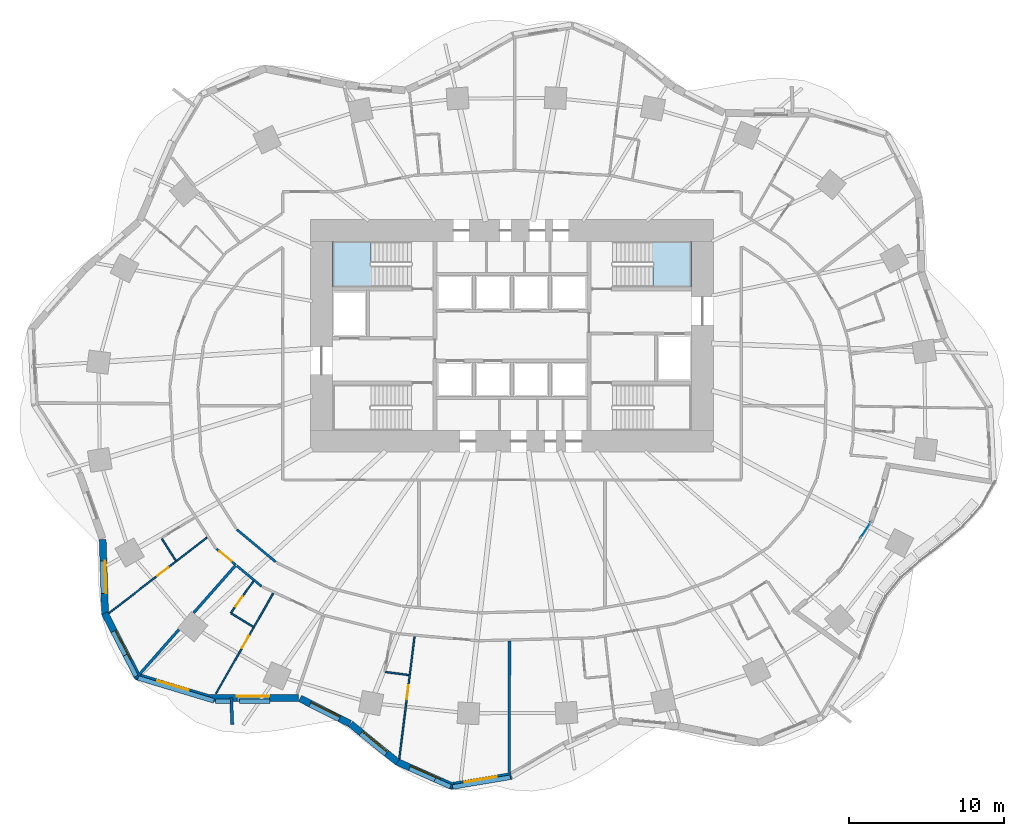
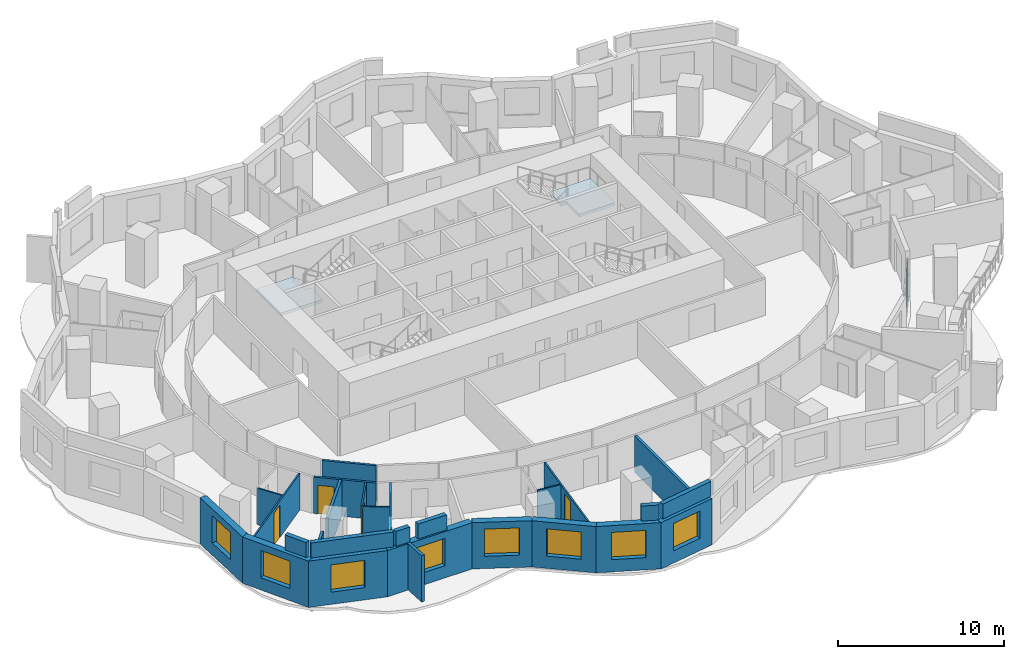
# One storey, part 4 of 14: 28 walls, 8 windows, 5 doors, 2 slabs, 1 plate, 13 openings, 3 elements without a shape of their own.
"""IFC4 building model written with IfcOpenShell, lengths in metres."""

from ifc_helpers import new_model, si_unit, direction, frame, frame_2d, origin, origin_2d, place, context, subcontext, project, spatial, polyline, rectangle, outline, extrude, material, layer, layer_set, type_object, element, fill, aggregate, save


model = new_model("IFC4")

# Units and contexts
model_context = context("Model", 3, precision=1e-05, world=origin(), true_north=direction((0.0, 1.0)))
body_context = subcontext(model_context, "Body", "Model", "MODEL_VIEW")
ifc_project = project(units=[si_unit("LENGTHUNIT", "METRE"), si_unit("AREAUNIT", "SQUARE_METRE"), si_unit("VOLUMEUNIT", "CUBIC_METRE"), si_unit("PLANEANGLEUNIT", "RADIAN"), si_unit("MASSUNIT", "GRAM", prefix="KILO")], contexts=[model_context])

# Site, building, storey
site_placement = place(None, origin())
site = spatial("IfcSite", under=ifc_project, at=site_placement, CompositionType="ELEMENT")
building_placement = place(site_placement, origin())
building = spatial("IfcBuilding", under=site, at=building_placement, Name="Rubra Terraces Tower", CompositionType="ELEMENT")
storey_placement = place(building_placement, frame((0.0, 0.0, 62.699951171875)))
storey = spatial("IfcBuildingStorey", under=building, at=storey_placement, Name="L13", CompositionType="ELEMENT", Elevation=62.699951171875)

# Stair, slab
ifc_material_1 = material(Name="Concrete C40", Category="concrete")
stair_type = type_object("IfcStairType", Name="Core stair 1400", PredefinedType="HALF_TURN_STAIR", material=ifc_material_1)
stair_1_placement = place(storey_placement, origin())
stair_1 = element("IfcStair", 1, at=stair_1_placement, inside=storey, type_object=stair_type, Name="L13 Exit stair S2", PredefinedType="HALF_TURN_STAIR")
ifc_layer_1 = layer(ifc_material_1, 0.199951171875)
ifc_layer_set_1 = layer_set([ifc_layer_1], Name="Concrete C40")
slab_type = type_object("IfcSlabType", Name="Core stair landing 200", PredefinedType="LANDING", material=ifc_layer_set_1)
slab_1_placement = place(storey_placement, frame((0.0, 0.0, 1.60009765625)))
slab_1 = element("IfcSlab", 2, at=slab_1_placement, type_object=slab_type, Name="S2 landing 1", PredefinedType="LANDING", context=body_context, shape_type="SweptSolid", body=[
    extrude(outline(polyline([(-8.719970703125, 9.050048828125), (-8.719970703125, 7.64990234375), (-9.1201171875, 7.64990234375), (-11.60009765625, 7.64990234375), (-11.60009765625, 10.60009765625), (-9.1201171875, 10.60009765625), (-9.10009765625, 10.60009765625), (-9.097900390625, 10.60009765625), (-9.097900390625, 9.199951171875), (-9.10009765625, 9.199951171875), (-9.10009765625, 9.050048828125), (-8.719970703125, 9.050048828125)])), origin(), (0.0, 0.0, 1.0), 0.199951171875),
])
aggregate(stair_1, [slab_1])

stair_2_placement = place(storey_placement, origin())
stair_2 = element("IfcStair", 3, at=stair_2_placement, inside=storey, type_object=stair_type, Name="L13 Exit stair S3", PredefinedType="HALF_TURN_STAIR")
slab_2_placement = place(storey_placement, frame((0.0, 0.0, 1.60009765625)))
slab_2 = element("IfcSlab", 4, at=slab_2_placement, type_object=slab_type, Name="S3 landing 1", PredefinedType="LANDING", context=body_context, shape_type="SweptSolid", body=[
    extrude(outline(polyline([(9.10009765625, 9.050048828125), (9.10009765625, 9.199951171875), (8.719970703125, 9.199951171875), (8.719970703125, 10.60009765625), (9.10009765625, 10.60009765625), (9.1201171875, 10.60009765625), (11.60009765625, 10.60009765625), (11.60009765625, 7.64990234375), (9.1201171875, 7.64990234375), (9.097900390625, 7.64990234375), (9.097900390625, 9.050048828125), (9.10009765625, 9.050048828125)])), origin(), (0.0, 0.0, 1.0), 0.199951171875),
])
aggregate(stair_2, [slab_2])

# Curtain wall, plate
ifc_material_2 = material(Name="Aluminium and glass", Category="aluminium")
curtain_wall_type = type_object("IfcCurtainWallType", Name="Curtain wall Terrace glazing", PredefinedType="NOTDEFINED", material=ifc_material_2)
curtain_wall_placement = place(storey_placement, origin())
curtain_wall = element("IfcCurtainWall", 5, at=curtain_wall_placement, inside=storey, type_object=curtain_wall_type, Name="Terrace glazing L13", PredefinedType="NOTDEFINED")
ifc_material_3 = material(Name="Clear glass, laminated", Category="glass")
ifc_layer_2 = layer(ifc_material_3, 0.028076171875)
ifc_layer_set_2 = layer_set([ifc_layer_2], Name="Clear glass, laminated")
plate_type = type_object("IfcPlateType", Name="Terrace glazing glass panel 28", PredefinedType="CURTAIN_PANEL", material=ifc_layer_set_2)
plate_placement = place(storey_placement, frame((22.813720703125, -8.03662109375, 0.10009765625), z_axis=(0.0, 0.0, 1.0), x_axis=(0.54622820243, 0.837636407321, 0.0)))
plate = element("IfcPlate", 6, at=plate_placement, type_object=plate_type, Name="CW3 panel 3.1", PredefinedType="CURTAIN_PANEL", context=body_context, shape_type="SweptSolid", body=[
    extrude(rectangle(XDim=1.20947265625, YDim=0.028076171875, at=origin_2d()), origin(), (0.0, 0.0, 1.0), 2.718017578125),
])
aggregate(curtain_wall, [plate])

# Walls
ifc_material_4 = material(Name="Twin plasterboard on staggered steel stud, acoustic mineral wool", Category="steel")
ifc_layer_3 = layer(ifc_material_4, 0.175048828125)
ifc_layer_set_3 = layer_set([ifc_layer_3], Name="Twin plasterboard on staggered steel stud, acoustic mineral wool")
wall_type_1 = type_object("IfcWallType", Name="ACOUSTIC PARTY WALL 175", PredefinedType="PARTITIONING", material=ifc_layer_set_3)
wall_1_placement = place(storey_placement, frame((-24.003173828125, -17.293212890625, 0.0), z_axis=(0.0, 0.0, 1.0), x_axis=(0.661561928072, 0.749890535562, 0.0)))
element("IfcWall", 7, at=wall_1_placement, inside=storey, type_object=wall_type_1, Name="PARTITION", PredefinedType="PARTITIONING", context=body_context, shape_type="SweptSolid", body=[
    extrude(rectangle(XDim=3.78662109375, YDim=0.175048828125, at=frame_2d((1.893310546875, 0.0))), origin(), (0.0, 0.0, 1.0), 2.679931640625),
])
wall_2_placement = place(storey_placement, frame((-20.545166015625, -13.373291015625, 0.0), z_axis=(0.0, 0.0, 1.0), x_axis=(0.66156772741, 0.74988541928, 0.0)))
element("IfcWall", 8, at=wall_2_placement, inside=storey, type_object=wall_type_1, Name="PARTITION", PredefinedType="PARTITIONING", context=body_context, shape_type="SweptSolid", body=[
    extrude(rectangle(XDim=4.044189453125, YDim=0.175048828125, at=frame_2d((2.02197265625, 0.0))), origin(), (0.0, 0.0, 1.0), 2.679931640625),
])
wall_3_placement = place(storey_placement, frame((-0.17919921875, -23.686767578125, 0.0), z_axis=(0.0, 0.0, 1.0), x_axis=(0.001753677156, 0.999998462307, 0.0)))
element("IfcWall", 9, at=wall_3_placement, inside=storey, type_object=wall_type_1, Name="PARTITION", PredefinedType="PARTITIONING", context=body_context, shape_type="SweptSolid", body=[
    extrude(rectangle(XDim=8.4921875, YDim=0.175048828125, at=frame_2d((4.24609375, 0.0))), origin(), (0.0, 0.0, 1.0), 2.679931640625),
])

# Wall, opening, window
ifc_material_5 = material(Name="Brick masonry red-brown", Category="masonry")
ifc_layer_4 = layer(ifc_material_5, 0.449951171875)
ifc_layer_set_4 = layer_set([ifc_layer_4], Name="Brick masonry red-brown")
wall_type_2 = type_object("IfcWallType", Name="Brick facade wall 450", PredefinedType="SOLIDWALL", material=ifc_layer_set_4)
wall_4_placement = place(storey_placement, frame((-26.416015625, -8.6376953125, 0.0), z_axis=(0.0, 0.0, 1.0), x_axis=(0.03254979302, -0.999470115098, 0.0)))
wall_4 = element("IfcWall", 10, at=wall_4_placement, inside=storey, type_object=wall_type_2, Name="Facade wall L13 bay 23", PredefinedType="SOLIDWALL", context=body_context, shape_type="SweptSolid", body=[
    extrude(rectangle(XDim=4.845458984375, YDim=0.449951171875, at=frame_2d((2.4228515625, 0.0))), origin(), (0.0, 0.0, 1.0), 3.400146484375),
])
opening_1_placement = place(wall_4_placement, frame((1.37255859375, 0.0, 0.89990234375)))
opening_1 = element("IfcOpeningElement", 11, at=opening_1_placement, cuts=wall_4, Name="Opening W1", PredefinedType="OPENING", context=body_context, shape_type="SweptSolid", body=[
    extrude(rectangle(XDim=2.10009765625, YDim=2.0, at=frame_2d((1.050048828125, 1.0))), frame((0.0, 0.23486328125, 0.0), z_axis=(0.0, -1.0, 0.0), x_axis=(1.0, 0.0, 0.0)), (0.0, 0.0, 1.0), 0.469970703125),
])
ifc_material_6 = material(Name="Clear glass in aluminium frame", Category="aluminium")
window_type = type_object("IfcWindowType", Name="Fixed deep-set window 2100 x 2000", PartitioningType="SINGLE_PANEL", PredefinedType="WINDOW", material=ifc_material_6)
window_1_placement = place(opening_1_placement, origin())
window_1 = element("IfcWindow", 12, at=window_1_placement, inside=storey, type_object=window_type, Name="Window L13 bay 23", OverallHeight=2.0, OverallWidth=2.10009765625, PartitioningType="SINGLE_PANEL", PredefinedType="WINDOW", context=body_context, shape_type="SweptSolid", body=[
    extrude(rectangle(XDim=2.10009765625, YDim=2.0, at=frame_2d((1.050048828125, 1.0))), frame((0.0, 0.135009765625, 0.0), z_axis=(0.0, -1.0, 0.0), x_axis=(1.0, 0.0, 0.0)), (0.0, 0.0, 1.0), 0.06005859375),
])
fill(opening_1, window_1)

wall_5_placement = place(storey_placement, frame((-26.283203125, -13.390625, 0.0), z_axis=(0.0, 0.0, 1.0), x_axis=(0.459485057932, -0.888185499509, 0.0)))
wall_5 = element("IfcWall", 13, at=wall_5_placement, inside=storey, type_object=wall_type_2, Name="Facade wall L13 bay 24", PredefinedType="SOLIDWALL", context=body_context, shape_type="SweptSolid", body=[
    extrude(rectangle(XDim=4.702880859375, YDim=0.449951171875, at=frame_2d((2.3515625, 0.0))), origin(), (0.0, 0.0, 1.0), 3.400146484375),
])
opening_2_placement = place(wall_5_placement, frame((1.301513671875, 0.0, 0.89990234375)))
opening_2 = element("IfcOpeningElement", 14, at=opening_2_placement, cuts=wall_5, Name="Opening W1", PredefinedType="OPENING", context=body_context, shape_type="SweptSolid", body=[
    extrude(rectangle(XDim=2.10009765625, YDim=2.0, at=frame_2d((1.050048828125, 1.0))), frame((0.0, 0.23486328125, 0.0), z_axis=(0.0, -1.0, 0.0), x_axis=(1.0, 0.0, 0.0)), (0.0, 0.0, 1.0), 0.469970703125),
])
window_2_placement = place(opening_2_placement, origin())
window_2 = element("IfcWindow", 15, at=window_2_placement, inside=storey, type_object=window_type, Name="Window L13 bay 24", OverallHeight=2.0, OverallWidth=2.10009765625, PartitioningType="SINGLE_PANEL", PredefinedType="WINDOW", context=body_context, shape_type="SweptSolid", body=[
    extrude(rectangle(XDim=2.10009765625, YDim=2.0, at=frame_2d((1.050048828125, 1.0))), frame((0.0, 0.135009765625, 0.0), z_axis=(0.0, -1.0, 0.0), x_axis=(1.0, 0.0, 0.0)), (0.0, 0.0, 1.0), 0.06005859375),
])
fill(opening_2, window_2)

wall_6_placement = place(storey_placement, frame((-24.2568359375, -17.45556640625, 0.0), z_axis=(0.0, 0.0, 1.0), x_axis=(0.957268138294, -0.289201852359, 0.0)))
wall_6 = element("IfcWall", 16, at=wall_6_placement, inside=storey, type_object=wall_type_2, Name="Facade wall L13 bay 25", PredefinedType="SOLIDWALL", context=body_context, shape_type="SweptSolid", body=[
    extrude(rectangle(XDim=4.87939453125, YDim=0.449951171875, at=frame_2d((2.439697265625, 0.0))), origin(), (0.0, 0.0, 1.0), 3.400146484375),
])
opening_3_placement = place(wall_6_placement, frame((1.3896484375, 0.0, 0.89990234375)))
opening_3 = element("IfcOpeningElement", 17, at=opening_3_placement, cuts=wall_6, Name="Opening W1", PredefinedType="OPENING", context=body_context, shape_type="SweptSolid", body=[
    extrude(rectangle(XDim=2.10009765625, YDim=2.0, at=frame_2d((1.050048828125, 1.0))), frame((0.0, 0.23486328125, 0.0), z_axis=(0.0, -1.0, 0.0), x_axis=(1.0, 0.0, 0.0)), (0.0, 0.0, 1.0), 0.469970703125),
])
window_3_placement = place(opening_3_placement, origin())
window_3 = element("IfcWindow", 18, at=window_3_placement, inside=storey, type_object=window_type, Name="Window L13 bay 25", OverallHeight=2.0, OverallWidth=2.10009765625, PartitioningType="SINGLE_PANEL", PredefinedType="WINDOW", context=body_context, shape_type="SweptSolid", body=[
    extrude(rectangle(XDim=2.10009765625, YDim=2.0, at=frame_2d((1.050048828125, 1.0))), frame((0.0, 0.135009765625, 0.0), z_axis=(0.0, -1.0, 0.0), x_axis=(1.0, 0.0, 0.0)), (0.0, 0.0, 1.0), 0.06005859375),
])
fill(opening_3, window_3)

wall_7_placement = place(storey_placement, frame((-19.650390625, -18.85693359375, 0.0), z_axis=(0.0, 0.0, 1.0), x_axis=(0.999994750773, -0.003240127552, 0.0)))
wall_7 = element("IfcWall", 19, at=wall_7_placement, inside=storey, type_object=wall_type_2, Name="Facade wall L13 bay 26", PredefinedType="SOLIDWALL", context=body_context, shape_type="SweptSolid", body=[
    extrude(rectangle(XDim=5.877197265625, YDim=0.449951171875, at=frame_2d((2.9384765625, 0.0))), origin(), (0.0, 0.0, 1.0), 3.400146484375),
])
opening_4_placement = place(wall_7_placement, frame((1.888671875, 0.0, 0.89990234375)))
opening_4 = element("IfcOpeningElement", 20, at=opening_4_placement, cuts=wall_7, Name="Opening W1", PredefinedType="OPENING", context=body_context, shape_type="SweptSolid", body=[
    extrude(rectangle(XDim=2.10009765625, YDim=2.0, at=frame_2d((1.050048828125, 1.0))), frame((0.0, 0.23486328125, 0.0), z_axis=(0.0, -1.0, 0.0), x_axis=(1.0, 0.0, 0.0)), (0.0, 0.0, 1.0), 0.469970703125),
])
window_4_placement = place(opening_4_placement, origin())
window_4 = element("IfcWindow", 21, at=window_4_placement, inside=storey, type_object=window_type, Name="Window L13 bay 26", OverallHeight=2.0, OverallWidth=2.10009765625, PartitioningType="SINGLE_PANEL", PredefinedType="WINDOW", context=body_context, shape_type="SweptSolid", body=[
    extrude(rectangle(XDim=2.10009765625, YDim=2.0, at=frame_2d((1.050048828125, 1.0))), frame((0.0, 0.135009765625, 0.0), z_axis=(0.0, -1.0, 0.0), x_axis=(1.0, 0.0, 0.0)), (0.0, 0.0, 1.0), 0.06005859375),
])
fill(opening_4, window_4)

wall_8_placement = place(storey_placement, frame((-13.6787109375, -18.897216796875, 0.0), z_axis=(0.0, 0.0, 1.0), x_axis=(0.893502471356, -0.449058274259, 0.0)))
wall_8 = element("IfcWall", 22, at=wall_8_placement, inside=storey, type_object=wall_type_2, Name="Facade wall L13 bay 27", PredefinedType="SOLIDWALL", context=body_context, shape_type="SweptSolid", body=[
    extrude(rectangle(XDim=3.59814453125, YDim=0.449951171875, at=frame_2d((1.799072265625, 0.0))), origin(), (0.0, 0.0, 1.0), 3.400146484375),
])
opening_5_placement = place(wall_8_placement, frame((0.748779296875, 0.0, 0.89990234375)))
opening_5 = element("IfcOpeningElement", 23, at=opening_5_placement, cuts=wall_8, Name="Opening W1", PredefinedType="OPENING", context=body_context, shape_type="SweptSolid", body=[
    extrude(rectangle(XDim=2.10009765625, YDim=2.0, at=frame_2d((1.050048828125, 1.0))), frame((0.0, 0.23486328125, 0.0), z_axis=(0.0, -1.0, 0.0), x_axis=(1.0, 0.0, 0.0)), (0.0, 0.0, 1.0), 0.469970703125),
])
window_5_placement = place(opening_5_placement, origin())
window_5 = element("IfcWindow", 24, at=window_5_placement, inside=storey, type_object=window_type, Name="Window L13 bay 27", OverallHeight=2.0, OverallWidth=2.10009765625, PartitioningType="SINGLE_PANEL", PredefinedType="WINDOW", context=body_context, shape_type="SweptSolid", body=[
    extrude(rectangle(XDim=2.10009765625, YDim=2.0, at=frame_2d((1.050048828125, 1.0))), frame((0.0, 0.135009765625, 0.0), z_axis=(0.0, -1.0, 0.0), x_axis=(1.0, 0.0, 0.0)), (0.0, 0.0, 1.0), 0.06005859375),
])
fill(opening_5, window_5)

wall_9_placement = place(storey_placement, frame((-10.421875, -20.53857421875, 0.0), z_axis=(0.0, 0.0, 1.0), x_axis=(0.775999170522, -0.63073392754, 0.0)))
wall_9 = element("IfcWall", 25, at=wall_9_placement, inside=storey, type_object=wall_type_2, Name="Facade wall L13 bay 28", PredefinedType="SOLIDWALL", context=body_context, shape_type="SweptSolid", body=[
    extrude(rectangle(XDim=3.902587890625, YDim=0.449951171875, at=frame_2d((1.951171875, 0.0))), origin(), (0.0, 0.0, 1.0), 3.400146484375),
])
opening_6_placement = place(wall_9_placement, frame((0.901123046875, 0.0, 0.89990234375)))
opening_6 = element("IfcOpeningElement", 26, at=opening_6_placement, cuts=wall_9, Name="Opening W1", PredefinedType="OPENING", context=body_context, shape_type="SweptSolid", body=[
    extrude(rectangle(XDim=2.10009765625, YDim=2.0, at=frame_2d((1.050048828125, 1.0))), frame((0.0, 0.23486328125, 0.0), z_axis=(0.0, -1.0, 0.0), x_axis=(1.0, 0.0, 0.0)), (0.0, 0.0, 1.0), 0.469970703125),
])
window_6_placement = place(opening_6_placement, origin())
window_6 = element("IfcWindow", 27, at=window_6_placement, inside=storey, type_object=window_type, Name="Window L13 bay 28", OverallHeight=2.0, OverallWidth=2.10009765625, PartitioningType="SINGLE_PANEL", PredefinedType="WINDOW", context=body_context, shape_type="SweptSolid", body=[
    extrude(rectangle(XDim=2.10009765625, YDim=2.0, at=frame_2d((1.050048828125, 1.0))), frame((0.0, 0.135009765625, 0.0), z_axis=(0.0, -1.0, 0.0), x_axis=(1.0, 0.0, 0.0)), (0.0, 0.0, 1.0), 0.06005859375),
])
fill(opening_6, window_6)

wall_10_placement = place(storey_placement, frame((-7.439697265625, -22.972412109375, 0.0), z_axis=(0.0, 0.0, 1.0), x_axis=(0.914114918534, -0.405455195692, 0.0)))
wall_10 = element("IfcWall", 28, at=wall_10_placement, inside=storey, type_object=wall_type_2, Name="Facade wall L13 bay 29", PredefinedType="SOLIDWALL", context=body_context, shape_type="SweptSolid", body=[
    extrude(rectangle(XDim=3.94580078125, YDim=0.449951171875, at=frame_2d((1.972900390625, 0.0))), origin(), (0.0, 0.0, 1.0), 3.400146484375),
])
opening_7_placement = place(wall_10_placement, frame((0.923095703125, 0.0, 0.89990234375)))
opening_7 = element("IfcOpeningElement", 29, at=opening_7_placement, cuts=wall_10, Name="Opening W1", PredefinedType="OPENING", context=body_context, shape_type="SweptSolid", body=[
    extrude(rectangle(XDim=2.10009765625, YDim=2.0, at=frame_2d((1.050048828125, 1.0))), frame((0.0, 0.23486328125, 0.0), z_axis=(0.0, -1.0, 0.0), x_axis=(1.0, 0.0, 0.0)), (0.0, 0.0, 1.0), 0.469970703125),
])
window_7_placement = place(opening_7_placement, origin())
window_7 = element("IfcWindow", 30, at=window_7_placement, inside=storey, type_object=window_type, Name="Window L13 bay 29", OverallHeight=2.0, OverallWidth=2.10009765625, PartitioningType="SINGLE_PANEL", PredefinedType="WINDOW", context=body_context, shape_type="SweptSolid", body=[
    extrude(rectangle(XDim=2.10009765625, YDim=2.0, at=frame_2d((1.050048828125, 1.0))), frame((0.0, 0.135009765625, 0.0), z_axis=(0.0, -1.0, 0.0), x_axis=(1.0, 0.0, 0.0)), (0.0, 0.0, 1.0), 0.06005859375),
])
fill(opening_7, window_7)

wall_11_placement = place(storey_placement, frame((-3.96142578125, -24.55615234375, 0.0), z_axis=(0.0, 0.0, 1.0), x_axis=(0.986102211406, 0.166139786505, 0.0)))
wall_11 = element("IfcWall", 31, at=wall_11_placement, inside=storey, type_object=wall_type_2, Name="Facade wall L13 bay 30", PredefinedType="SOLIDWALL", context=body_context, shape_type="SweptSolid", body=[
    extrude(rectangle(XDim=3.9794921875, YDim=0.449951171875, at=frame_2d((1.98974609375, 0.0))), origin(), (0.0, 0.0, 1.0), 3.400146484375),
])
opening_8_placement = place(wall_11_placement, frame((0.939697265625, 0.0, 0.89990234375)))
opening_8 = element("IfcOpeningElement", 32, at=opening_8_placement, cuts=wall_11, Name="Opening W1", PredefinedType="OPENING", context=body_context, shape_type="SweptSolid", body=[
    extrude(rectangle(XDim=2.10009765625, YDim=2.0, at=frame_2d((1.050048828125, 1.0))), frame((0.0, 0.23486328125, 0.0), z_axis=(0.0, -1.0, 0.0), x_axis=(1.0, 0.0, 0.0)), (0.0, 0.0, 1.0), 0.469970703125),
])
window_8_placement = place(opening_8_placement, origin())
window_8 = element("IfcWindow", 33, at=window_8_placement, inside=storey, type_object=window_type, Name="Window L13 bay 30", OverallHeight=2.0, OverallWidth=2.10009765625, PartitioningType="SINGLE_PANEL", PredefinedType="WINDOW", context=body_context, shape_type="SweptSolid", body=[
    extrude(rectangle(XDim=2.10009765625, YDim=2.0, at=frame_2d((1.050048828125, 1.0))), frame((0.0, 0.135009765625, 0.0), z_axis=(0.0, -1.0, 0.0), x_axis=(1.0, 0.0, 0.0)), (0.0, 0.0, 1.0), 0.06005859375),
])
fill(opening_8, window_8)

# Walls
ifc_layer_5 = layer(ifc_material_5, 0.300048828125)
ifc_layer_set_5 = layer_set([ifc_layer_5], Name="Brick masonry red-brown")
wall_type_3 = type_object("IfcWallType", Name="Brick parapet 300", PredefinedType="PARAPET", material=ifc_layer_set_5)
wall_12_placement = place(storey_placement, frame((-24.96533203125, -16.100830078125, 3.60009765625), z_axis=(0.0, 0.0, 1.0), x_axis=(0.459461897951, -0.88819748048, 0.0)))
element("IfcWall", 34, at=wall_12_placement, inside=storey, type_object=wall_type_3, Name="Parapet L13 bay 24", PredefinedType="PARAPET", context=body_context, shape_type="SweptSolid", body=[
    extrude(rectangle(XDim=1.533447265625, YDim=0.300048828125, at=frame_2d((0.7666015625, 0.0))), origin(), (0.0, 0.0, 1.0), 1.099853515625),
])
wall_13_placement = place(storey_placement, frame((-24.12841796875, -17.57275390625, 3.60009765625), z_axis=(0.0, 0.0, 1.0), x_axis=(0.95727702005, -0.289172451806, 0.0)))
element("IfcWall", 35, at=wall_13_placement, inside=storey, type_object=wall_type_3, Name="Parapet L13 bay 25", PredefinedType="PARAPET", context=body_context, shape_type="SweptSolid", body=[
    extrude(rectangle(XDim=5.105224609375, YDim=0.300048828125, at=frame_2d((2.552734375, 0.0))), origin(), (0.0, 0.0, 1.0), 1.099853515625),
])
wall_14_placement = place(storey_placement, frame((-19.1396484375, -19.064208984375, 3.60009765625), z_axis=(0.0, 0.0, 1.0), x_axis=(0.999994556719, -0.003299474426, 0.0)))
element("IfcWall", 36, at=wall_14_placement, inside=storey, type_object=wall_type_3, Name="Parapet L13 bay 26", PredefinedType="PARAPET", context=body_context, shape_type="SweptSolid", body=[
    extrude(rectangle(XDim=0.9619140625, YDim=0.300048828125, at=frame_2d((0.48095703125, 0.0))), origin(), (0.0, 0.0, 1.0), 1.099853515625),
])
wall_15_placement = place(storey_placement, frame((-17.596435546875, -19.069091796875, 3.60009765625), z_axis=(0.0, 0.0, 1.0), x_axis=(0.999994488127, -0.003320198128, 0.0)))
element("IfcWall", 37, at=wall_15_placement, inside=storey, type_object=wall_type_3, Name="Parapet L13 bay 26.2", PredefinedType="PARAPET", context=body_context, shape_type="SweptSolid", body=[
    extrude(rectangle(XDim=1.9853515625, YDim=0.300048828125, at=frame_2d((0.99267578125, 0.0))), origin(), (0.0, 0.0, 1.0), 1.099853515625),
])
wall_16_placement = place(storey_placement, frame((-4.9794921875, -24.145751953125, 3.60009765625), z_axis=(0.0, 0.0, 1.0), x_axis=(0.91414047558, -0.405397571412, 0.0)))
element("IfcWall", 38, at=wall_16_placement, inside=storey, type_object=wall_type_3, Name="Parapet L13 bay 29", PredefinedType="PARAPET", context=body_context, shape_type="SweptSolid", body=[
    extrude(rectangle(XDim=1.100830078125, YDim=0.300048828125, at=frame_2d((0.55029296875, 0.0))), origin(), (0.0, 0.0, 1.0), 1.099853515625),
])
wall_17_placement = place(storey_placement, frame((-3.830322265625, -24.610107421875, 3.60009765625), z_axis=(0.0, 0.0, 1.0), x_axis=(0.986111051666, 0.166087307712, 0.0)))
element("IfcWall", 39, at=wall_17_placement, inside=storey, type_object=wall_type_3, Name="Parapet L13 bay 30", PredefinedType="PARAPET", context=body_context, shape_type="SweptSolid", body=[
    extrude(rectangle(XDim=3.77490234375, YDim=0.300048828125, at=frame_2d((1.887451171875, 0.0))), origin(), (0.0, 0.0, 1.0), 1.099853515625),
])
ifc_layer_6 = layer(ifc_material_5, 0.199951171875)
ifc_layer_set_6 = layer_set([ifc_layer_6], Name="Brick masonry red-brown")
wall_type_4 = type_object("IfcWallType", Name="Brick wind fin 200", PredefinedType="SOLIDWALL", material=ifc_layer_set_6)
wall_18_placement = place(storey_placement, frame((-18.125, -18.839111328125, 0.0), z_axis=(0.0, 0.0, 1.0), x_axis=(0.042274699855, -0.999106025281, 0.0)))
element("IfcWall", 40, at=wall_18_placement, inside=storey, type_object=wall_type_4, Name="Wind fin L13 16", PredefinedType="SOLIDWALL", context=body_context, shape_type="SweptSolid", body=[
    extrude(rectangle(XDim=1.749755859375, YDim=0.199951171875, at=frame_2d((0.875, 0.0))), origin(), (0.0, 0.0, 1.0), 3.400146484375),
])

# Wall, opening, door
ifc_material_7 = material(Name="Plasterboard on steel stud, mineral wool infill", Category="steel")
ifc_layer_7 = layer(ifc_material_7, 0.14990234375)
ifc_layer_set_7 = layer_set([ifc_layer_7], Name="Plasterboard on steel stud, mineral wool infill")
wall_type_5 = type_object("IfcWallType", Name="CORRIDOR PARTITION 150", PredefinedType="PARTITIONING", material=ifc_layer_set_7)
wall_19_placement = place(storey_placement, frame((-19.07421875, -9.2412109375, 0.0), z_axis=(0.0, 0.0, 1.0), x_axis=(0.768797522642, -0.639492274527, 0.0)))
wall_19 = element("IfcWall", 41, at=wall_19_placement, inside=storey, type_object=wall_type_5, Name="PARTITION", PredefinedType="PARTITIONING", context=body_context, shape_type="SweptSolid", body=[
    extrude(rectangle(XDim=1.63134765625, YDim=0.14990234375, at=frame_2d((0.815673828125, 0.0))), origin(), (0.0, 0.0, 1.0), 2.679931640625),
])
opening_9_placement = place(wall_19_placement, frame((0.25, 0.0, 0.0)))
opening_9 = element("IfcOpeningElement", 42, at=opening_9_placement, cuts=wall_19, Name="Opening 13-116", PredefinedType="OPENING", context=body_context, shape_type="SweptSolid", body=[
    extrude(rectangle(XDim=1.0, YDim=2.10009765625, at=frame_2d((0.5, 1.050048828125))), frame((0.0, 0.0849609375, 0.0), z_axis=(0.0, -1.0, 0.0), x_axis=(1.0, 0.0, 0.0)), (0.0, 0.0, 1.0), 0.169921875),
])
ifc_material_8 = material(Name="Painted timber door leaf", Category="wood")
door_type_1 = type_object("IfcDoorType", Name="ROOM DOOR 1000 X 2100", OperationType="SINGLE_SWING_LEFT", PredefinedType="DOOR", material=ifc_material_8)
door_1_placement = place(opening_9_placement, origin())
door_1 = element("IfcDoor", 43, at=door_1_placement, inside=storey, type_object=door_type_1, Name="DOOR 13-116", OperationType="SINGLE_SWING_RIGHT", OverallHeight=2.10009765625, OverallWidth=1.0, PredefinedType="DOOR", context=body_context, shape_type="SweptSolid", body=[
    extrude(rectangle(XDim=1.0, YDim=2.10009765625, at=frame_2d((0.5, 1.050048828125))), frame((0.0, 0.02490234375, 0.0), z_axis=(0.0, -1.0, 0.0), x_axis=(1.0, 0.0, 0.0)), (0.0, 0.0, 1.0), 0.050048828125),
])
fill(opening_9, door_1)

# Walls
wall_20_placement = place(storey_placement, frame((-17.762451171875, -10.33251953125, 0.0), z_axis=(0.0, 0.0, 1.0), x_axis=(0.768864852283, -0.639411322174, 0.0)))
element("IfcWall", 44, at=wall_20_placement, inside=storey, type_object=wall_type_5, Name="PARTITION", PredefinedType="PARTITIONING", context=body_context, shape_type="SweptSolid", body=[
    extrude(rectangle(XDim=2.08203125, YDim=0.14990234375, at=frame_2d((1.041015625, 0.0))), origin(), (0.0, 0.0, 1.0), 2.679931640625),
])
wall_21_placement = place(storey_placement, frame((-15.239501953125, -10.089599609375, 0.0), z_axis=(0.0, 0.0, 1.0), x_axis=(-0.768799656378, 0.639489709341, 0.0)))
element("IfcWall", 45, at=wall_21_placement, inside=storey, type_object=wall_type_5, Name="PARTITION", PredefinedType="PARTITIONING", context=body_context, shape_type="SweptSolid", body=[
    extrude(rectangle(XDim=3.28515625, YDim=0.14990234375, at=frame_2d((1.642578125, 0.0))), origin(), (0.0, 0.0, 1.0), 2.679931640625),
])

# Wall, opening, door
ifc_material_9 = material(Name="Plasterboard on steel stud", Category="steel")
ifc_layer_8 = layer(ifc_material_9, 0.10009765625)
ifc_layer_set_8 = layer_set([ifc_layer_8], Name="Plasterboard on steel stud")
wall_type_6 = type_object("IfcWallType", Name="ROOM PARTITION 100", PredefinedType="PARTITIONING", material=ifc_layer_set_8)
wall_22_placement = place(storey_placement, frame((-26.021240234375, -13.3984375, 0.0), z_axis=(0.0, 0.0, 1.0), x_axis=(0.791898657623, 0.610652532996, 0.0)))
wall_22 = element("IfcWall", 46, at=wall_22_placement, inside=storey, type_object=wall_type_6, Name="PARTITION", PredefinedType="PARTITIONING", context=body_context, shape_type="SweptSolid", body=[
    extrude(rectangle(XDim=8.02685546875, YDim=0.10009765625, at=frame_2d((4.013427734375, 0.0))), origin(), (0.0, 0.0, 1.0), 2.679931640625),
])
opening_10_placement = place(wall_22_placement, frame((3.951904296875, 0.0, 0.0)))
opening_10 = element("IfcOpeningElement", 47, at=opening_10_placement, cuts=wall_22, Name="Opening 13-115", PredefinedType="OPENING", context=body_context, shape_type="SweptSolid", body=[
    extrude(rectangle(XDim=0.89990234375, YDim=2.39990234375, at=frame_2d((0.449951171875, 1.199951171875))), frame((0.0, 0.06005859375, 0.0), z_axis=(0.0, -1.0, 0.0), x_axis=(1.0, 0.0, 0.0)), (0.0, 0.0, 1.0), 0.1201171875),
])
ifc_material_10 = material(Name="Veneered timber door leaf, fire-rated", Category="wood")
door_type_2 = type_object("IfcDoorType", Name="SUITE ENTRANCE DOOR 900 X 2400", OperationType="SINGLE_SWING_LEFT", PredefinedType="DOOR", material=ifc_material_10)
door_2_placement = place(opening_10_placement, origin())
door_2 = element("IfcDoor", 48, at=door_2_placement, inside=storey, type_object=door_type_2, Name="DOOR 13-115", OperationType="SINGLE_SWING_LEFT", OverallHeight=2.39990234375, OverallWidth=0.89990234375, PredefinedType="DOOR", context=body_context, shape_type="SweptSolid", body=[
    extrude(rectangle(XDim=0.89990234375, YDim=2.39990234375, at=frame_2d((0.449951171875, 1.199951171875))), frame((0.0, 0.02490234375, 0.0), z_axis=(0.0, -1.0, 0.0), x_axis=(1.0, 0.0, 0.0)), (0.0, 0.0, 1.0), 0.050048828125),
])
fill(opening_10, door_2)

# Wall
wall_23_placement = place(storey_placement, frame((-22.597900390625, -8.5927734375, 0.0), z_axis=(0.0, 0.0, 1.0), x_axis=(0.542403012008, -0.840118427702, 0.0)))
element("IfcWall", 49, at=wall_23_placement, inside=storey, type_object=wall_type_6, Name="PARTITION", PredefinedType="PARTITIONING", context=body_context, shape_type="SweptSolid", body=[
    extrude(rectangle(XDim=1.671142578125, YDim=0.10009765625, at=frame_2d((0.83544921875, 0.0))), origin(), (0.0, 0.0, 1.0), 2.679931640625),
])

# Wall, opening, door
wall_24_placement = place(storey_placement, frame((-19.1005859375, -18.579833984375, 0.0), z_axis=(0.0, 0.0, 1.0), x_axis=(0.495157532616, 0.868803210108, 0.0)))
wall_24 = element("IfcWall", 50, at=wall_24_placement, inside=storey, type_object=wall_type_6, Name="PARTITION", PredefinedType="PARTITIONING", context=body_context, shape_type="SweptSolid", body=[
    extrude(rectangle(XDim=7.4501953125, YDim=0.10009765625, at=frame_2d((3.72509765625, 0.0))), origin(), (0.0, 0.0, 1.0), 2.679931640625),
])
opening_11_placement = place(wall_24_placement, frame((3.375, 0.0, 0.0)))
opening_11 = element("IfcOpeningElement", 51, at=opening_11_placement, cuts=wall_24, Name="Opening 13-118", PredefinedType="OPENING", context=body_context, shape_type="SweptSolid", body=[
    extrude(rectangle(XDim=0.89990234375, YDim=2.39990234375, at=frame_2d((0.449951171875, 1.199951171875))), frame((0.0, 0.06005859375, 0.0), z_axis=(0.0, -1.0, 0.0), x_axis=(1.0, 0.0, 0.0)), (0.0, 0.0, 1.0), 0.1201171875),
])
door_3_placement = place(opening_11_placement, origin())
door_3 = element("IfcDoor", 52, at=door_3_placement, inside=storey, type_object=door_type_2, Name="DOOR 13-118", OperationType="SINGLE_SWING_LEFT", OverallHeight=2.39990234375, OverallWidth=0.89990234375, PredefinedType="DOOR", context=body_context, shape_type="SweptSolid", body=[
    extrude(rectangle(XDim=0.89990234375, YDim=2.39990234375, at=frame_2d((0.449951171875, 1.199951171875))), frame((0.0, 0.02490234375, 0.0), z_axis=(0.0, -1.0, 0.0), x_axis=(1.0, 0.0, 0.0)), (0.0, 0.0, 1.0), 0.050048828125),
])
fill(opening_11, door_3)

wall_25_placement = place(storey_placement, frame((-16.68701171875, -11.32421875, 0.0), z_axis=(0.0, 0.0, 1.0), x_axis=(-0.580533698553, -0.814236221771, 0.0)))
wall_25 = element("IfcWall", 53, at=wall_25_placement, inside=storey, type_object=wall_type_6, Name="PARTITION", PredefinedType="PARTITIONING", context=body_context, shape_type="SweptSolid", body=[
    extrude(rectangle(XDim=2.52490234375, YDim=0.10009765625, at=frame_2d((1.262451171875, 0.0))), origin(), (0.0, 0.0, 1.0), 2.679931640625),
])
opening_12_placement = place(wall_25_placement, frame((1.199951171875, 0.0, 0.0)))
opening_12 = element("IfcOpeningElement", 54, at=opening_12_placement, cuts=wall_25, Name="Opening 13-117", PredefinedType="OPENING", context=body_context, shape_type="SweptSolid", body=[
    extrude(rectangle(XDim=0.800048828125, YDim=2.10009765625, at=frame_2d((0.39990234375, 1.050048828125))), frame((0.0, 0.06005859375, 0.0), z_axis=(0.0, -1.0, 0.0), x_axis=(1.0, 0.0, 0.0)), (0.0, 0.0, 1.0), 0.1201171875),
])
door_type_3 = type_object("IfcDoorType", Name="BATHROOM DOOR 800 X 2100", OperationType="SINGLE_SWING_LEFT", PredefinedType="DOOR", material=ifc_material_8)
door_4_placement = place(opening_12_placement, origin())
door_4 = element("IfcDoor", 55, at=door_4_placement, inside=storey, type_object=door_type_3, Name="DOOR 13-117", OperationType="SINGLE_SWING_LEFT", OverallHeight=2.10009765625, OverallWidth=0.800048828125, PredefinedType="DOOR", context=body_context, shape_type="SweptSolid", body=[
    extrude(rectangle(XDim=0.800048828125, YDim=2.10009765625, at=frame_2d((0.39990234375, 1.050048828125))), frame((0.0, 0.02490234375, 0.0), z_axis=(0.0, -1.0, 0.0), x_axis=(1.0, 0.0, 0.0)), (0.0, 0.0, 1.0), 0.050048828125),
])
fill(opening_12, door_4)

# Wall
wall_26_placement = place(storey_placement, frame((-18.1103515625, -13.406494140625, 0.0), z_axis=(0.0, 0.0, 1.0), x_axis=(0.850932033391, -0.525275808075, 0.0)))
element("IfcWall", 56, at=wall_26_placement, inside=storey, type_object=wall_type_6, Name="PARTITION", PredefinedType="PARTITIONING", context=body_context, shape_type="SweptSolid", body=[
    extrude(rectangle(XDim=1.65234375, YDim=0.10009765625, at=frame_2d((0.826171875, 0.0))), origin(), (0.0, 0.0, 1.0), 2.679931640625),
])

# Wall, opening, door
wall_27_placement = place(storey_placement, frame((-7.27490234375, -22.794921875, 0.0), z_axis=(0.0, 0.0, 1.0), x_axis=(0.123872623133, 0.992298127197, 0.0)))
wall_27 = element("IfcWall", 57, at=wall_27_placement, inside=storey, type_object=wall_type_6, Name="PARTITION", PredefinedType="PARTITIONING", context=body_context, shape_type="SweptSolid", body=[
    extrude(rectangle(XDim=7.97021484375, YDim=0.10009765625, at=frame_2d((3.985107421875, 0.0))), origin(), (0.0, 0.0, 1.0), 2.679931640625),
])
opening_13_placement = place(wall_27_placement, frame((3.89501953125, 0.0, 0.0)))
opening_13 = element("IfcOpeningElement", 58, at=opening_13_placement, cuts=wall_27, Name="Opening 13-121", PredefinedType="OPENING", context=body_context, shape_type="SweptSolid", body=[
    extrude(rectangle(XDim=0.89990234375, YDim=2.39990234375, at=frame_2d((0.449951171875, 1.199951171875))), frame((0.0, 0.06005859375, 0.0), z_axis=(0.0, -1.0, 0.0), x_axis=(1.0, 0.0, 0.0)), (0.0, 0.0, 1.0), 0.1201171875),
])
door_5_placement = place(opening_13_placement, origin())
door_5 = element("IfcDoor", 59, at=door_5_placement, inside=storey, type_object=door_type_2, Name="DOOR 13-121", OperationType="SINGLE_SWING_LEFT", OverallHeight=2.39990234375, OverallWidth=0.89990234375, PredefinedType="DOOR", context=body_context, shape_type="SweptSolid", body=[
    extrude(rectangle(XDim=0.89990234375, YDim=2.39990234375, at=frame_2d((0.449951171875, 1.199951171875))), frame((0.0, 0.02490234375, 0.0), z_axis=(0.0, -1.0, 0.0), x_axis=(1.0, 0.0, 0.0)), (0.0, 0.0, 1.0), 0.050048828125),
])
fill(opening_13, door_5)

# Wall
wall_28_placement = place(storey_placement, frame((-8.1640625, -17.189697265625, 0.0), z_axis=(0.0, 0.0, 1.0), x_axis=(0.991762801698, -0.128088036788, 0.0)))
element("IfcWall", 60, at=wall_28_placement, inside=storey, type_object=wall_type_6, Name="PARTITION", PredefinedType="PARTITIONING", context=body_context, shape_type="SweptSolid", body=[
    extrude(rectangle(XDim=1.52685546875, YDim=0.10009765625, at=frame_2d((0.763427734375, 0.0))), origin(), (0.0, 0.0, 1.0), 2.679931640625),
])

save(model, "model.ifc")
